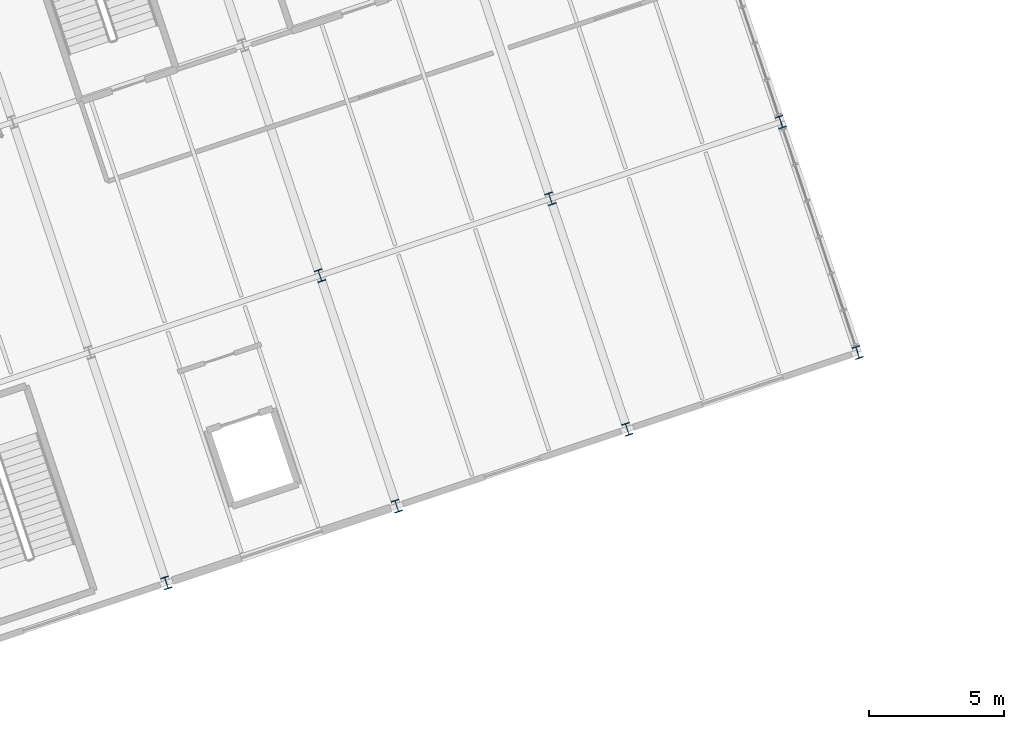
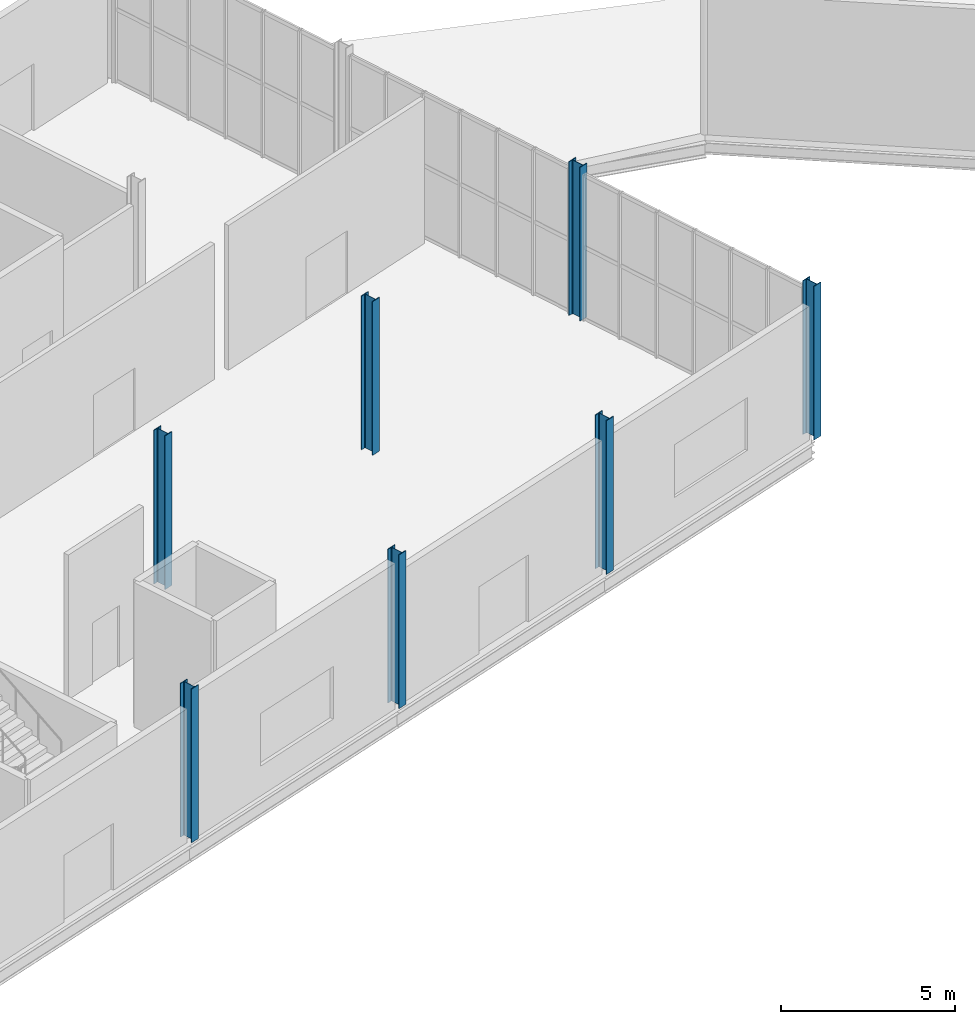
# One storey, part 21 of 158: 7 columns.
"""IFC4 building model written with IfcOpenShell, lengths in metres."""

import ifcopenshell
import ifcopenshell.guid

model = None  # the IFC model being written
_history = None  # IfcOwnerHistory: only IFC2X3 demands one
_inside = {}  # id of a spatial element -> (the spatial element, [elements in it])
_under = {}  # id of a project, library or spatial element -> (it, [spatial elements below it])
_declared = {}  # id of a project -> (the project, [libraries it declares])
_typed = {}  # id of a type object -> (the type object, [elements of that type])
_made_of = {}  # id of a material, layer set ... -> (it, [elements and type objects made of it])


def new_model(schema):
    """Start an empty IFC model of exactly this schema.

    Asked for "IFC4X3", IfcOpenShell would pick the latest addendum, in which some entities
    have other attributes; the version numbers below select the first issue.
    IFC2X3 requires an IfcOwnerHistory on every rooted entity: one is made here for all.
    """
    global model, _history
    if schema == "IFC4X3":
        model = ifcopenshell.file(schema_version=(4, 3, 0, 0))
    else:
        model = ifcopenshell.file(schema=schema)
    _inside.clear()
    _under.clear()
    _declared.clear()
    _typed.clear()
    _made_of.clear()
    _history = None
    if model.schema == "IFC2X3":
        org = make("IfcOrganization", Name="unknown")
        user = make(
            "IfcPersonAndOrganization",
            ThePerson=make("IfcPerson", FamilyName="unknown"),
            TheOrganization=org,
        )
        app = make(
            "IfcApplication",
            ApplicationDeveloper=org,
            Version="unknown",
            ApplicationFullName="unknown",
            ApplicationIdentifier="unknown",
        )
        _history = make(
            "IfcOwnerHistory",
            OwningUser=user,
            OwningApplication=app,
            ChangeAction="ADDED",
            CreationDate=0,
        )
    return model


def make(cls, **values):
    """One entity of the class cls with the attributes given. An attribute that is None is left unset."""
    return model.create_entity(
        cls, **{name: value for name, value in values.items() if value is not None}
    )


def rooted(cls, **values):
    """An entity with a GlobalId (a new one), such as an element, a storey or a relation."""
    return make(cls, GlobalId=ifcopenshell.guid.new(), OwnerHistory=_history, **values)


def si_unit(unit_type, name, prefix=None):
    """IfcSIUnit, for example si_unit("LENGTHUNIT", "METRE", prefix="MILLI")."""
    return make("IfcSIUnit", UnitType=unit_type, Prefix=prefix, Name=name)


def derived_unit(unit_type, elements):
    """IfcDerivedUnit: a product of units, each with its exponent."""
    return make(
        "IfcDerivedUnit",
        Elements=[
            make("IfcDerivedUnitElement", Unit=unit, Exponent=power)
            for unit, power in elements
        ],
        UnitType=unit_type,
    )


def assignment(units):
    """IfcUnitAssignment: the units of a project."""
    return None if units is None else make("IfcUnitAssignment", Units=units)


def point(xyz):
    """IfcCartesianPoint."""
    return None if xyz is None else make("IfcCartesianPoint", Coordinates=xyz)


def direction(xyz):
    """IfcDirection."""
    return None if xyz is None else make("IfcDirection", DirectionRatios=xyz)


def frame(location, z_axis=None, x_axis=None):
    """IfcAxis2Placement3D, a coordinate frame: its origin and axes. An axis left out is left unset."""
    return make(
        "IfcAxis2Placement3D",
        Location=point(location),
        Axis=direction(z_axis),
        RefDirection=direction(x_axis),
    )


def frame_2d(location, x_axis=None):
    """IfcAxis2Placement2D, a coordinate frame in the plane: its origin and x axis."""
    return make(
        "IfcAxis2Placement2D", Location=point(location), RefDirection=direction(x_axis)
    )


def origin():
    """The frame at (0, 0, 0) with its axes left unset."""
    return frame((0.0, 0.0, 0.0))


def origin_2d():
    """The frame at (0, 0) in the plane with its x axis left unset."""
    return frame_2d((0.0, 0.0))


def place(relative_to, where):
    """IfcLocalPlacement: puts the frame where relative to a parent placement (None: the world)."""
    return make(
        "IfcLocalPlacement", PlacementRelTo=relative_to, RelativePlacement=where
    )


def context(
    kind, dimensions, precision=None, world=None, true_north=None, identifier=None
):
    """IfcGeometricRepresentationContext, for example the 3D "Model" context."""
    return make(
        "IfcGeometricRepresentationContext",
        ContextIdentifier=identifier,
        ContextType=kind,
        CoordinateSpaceDimension=dimensions,
        Precision=precision,
        WorldCoordinateSystem=world,
        TrueNorth=true_north,
    )


def subcontext(parent, identifier, kind, view, scale=None):
    """IfcGeometricRepresentationSubContext, for example "Body" below "Model"."""
    return make(
        "IfcGeometricRepresentationSubContext",
        ContextIdentifier=identifier,
        ContextType=kind,
        ParentContext=parent,
        TargetScale=scale,
        TargetView=view,
    )


def project(units=None, contexts=None):
    """IfcProject with its units and contexts."""
    return rooted(
        "IfcProject",
        Name="project",
        RepresentationContexts=contexts,
        UnitsInContext=assignment(units),
    )


def spatial(cls, under=None, at=None, **own):
    """A site, building, storey or space (cls), placed at a placement, below another one or the project."""
    s = rooted(cls, ObjectPlacement=at, **own)
    if under is not None:
        _under.setdefault(under.id(), (under, []))[1].append(s)
    return s


def profile(cls, at=None, kind="AREA", **sizes):
    """A parametric profile (cls). Its sizes go by their IFC names, for example OverallWidth=200.0."""
    return make(cls, ProfileType=kind, Position=at, **sizes)


def i_section(**sizes):
    """IfcIShapeProfileDef."""
    return profile("IfcIShapeProfileDef", **sizes)


def extrude(swept, where, along, depth):
    """IfcExtrudedAreaSolid: the profile swept, set in the frame where, extruded along a direction by depth."""
    return make(
        "IfcExtrudedAreaSolid",
        SweptArea=swept,
        Position=where,
        ExtrudedDirection=direction(along),
        Depth=depth,
    )


def shape(context_of_items, identifier, shape_type, items):
    """IfcShapeRepresentation: the items that make up one representation, for example the "Body"."""
    return make(
        "IfcShapeRepresentation",
        ContextOfItems=context_of_items,
        RepresentationIdentifier=identifier,
        RepresentationType=shape_type,
        Items=items,
    )


def material(Name=None, Category=None):
    """IfcMaterial."""
    return make("IfcMaterial", Name=Name, Category=Category)


def material_profile(
    of_material, cross_section, Name=None, Category=None, Priority=None
):
    """IfcMaterialProfile: a cross section and its material."""
    return make(
        "IfcMaterialProfile",
        Name=Name,
        Material=of_material,
        Profile=cross_section,
        Priority=Priority,
        Category=Category,
    )


def profile_set(profiles, Name=None, composite=None):
    """IfcMaterialProfileSet."""
    return make(
        "IfcMaterialProfileSet",
        Name=Name,
        MaterialProfiles=profiles,
        CompositeProfile=composite,
    )


def made_of(thing, what):
    """Note that an element or type object is made of a material, layer set ...; save() writes the relation."""
    if what is not None:
        _made_of.setdefault(what.id(), (what, []))[1].append(thing)
    return thing


def type_object(cls, material=None, **own):
    """A type object (cls), such as IfcWallType, which elements share."""
    return made_of(rooted(cls, **own), material)


def element(
    cls,
    number,
    at=None,
    inside=None,
    cuts=None,
    type_object=None,
    material=None,
    context=None,
    identifier="Body",
    shape_type=None,
    held_by="IfcProductDefinitionShape",
    body=None,
    shapes=None,
    **own,
):
    """One element of the class cls, such as IfcWall. Its Tag is "e" and its number.

    at: its placement. inside: the storey or other place that contains it. cuts: it is an
    opening in that element (IfcRelVoidsElement). A single representation is given by context,
    identifier, shape_type and body (its items); several are given by shapes. held_by: the class
    of the entity that holds the representations. save() writes the other relations.
    """
    e = rooted(cls, Tag="e%d" % number, ObjectPlacement=at, **own)
    if body is not None:
        shapes = [shape(context, identifier, shape_type, body)]
    if shapes is not None:
        e.Representation = make(held_by, Representations=shapes)
    if inside is not None:
        _inside.setdefault(inside.id(), (inside, []))[1].append(e)
    if cuts is not None:
        rooted(
            "IfcRelVoidsElement", RelatingBuildingElement=cuts, RelatedOpeningElement=e
        )
    if type_object is not None:
        _typed.setdefault(type_object.id(), (type_object, []))[1].append(e)
    return made_of(e, material)


def aggregate(whole, parts):
    """IfcRelAggregates: a whole, such as a stair, and the parts it consists of."""
    return rooted("IfcRelAggregates", RelatingObject=whole, RelatedObjects=parts)


def save(model, path):
    """Write the relations noted so far, then the file.

    IfcRelAggregates (storeys below a building ...), IfcRelContainedInSpatialStructure (elements
    in a storey), IfcRelDefinesByType, IfcRelAssociatesMaterial and IfcRelDeclares: one each for
    every whole, place, type object, material and project.
    """
    for whole, parts in _under.values():
        aggregate(whole, parts)
    for where, things in _inside.values():
        rooted(
            "IfcRelContainedInSpatialStructure",
            RelatedElements=things,
            RelatingStructure=where,
        )
    for kind, things in _typed.values():
        rooted("IfcRelDefinesByType", RelatedObjects=things, RelatingType=kind)
    for what, things in _made_of.values():
        rooted("IfcRelAssociatesMaterial", RelatedObjects=things, RelatingMaterial=what)
    for by, libraries in _declared.values():
        rooted("IfcRelDeclares", RelatingContext=by, RelatedDefinitions=libraries)
    model.write(path)


model = new_model("IFC4")

# Units and contexts
model_context = context("Model", 3, precision=1e-05, world=origin(), true_north=direction((0.0, 1.0)))
body_context = subcontext(model_context, "Body", "Model", "MODEL_VIEW")
ifc_project = project(units=[si_unit("LENGTHUNIT", "METRE"), si_unit("AREAUNIT", "SQUARE_METRE"), si_unit("VOLUMEUNIT", "CUBIC_METRE"), si_unit("PLANEANGLEUNIT", "RADIAN"), si_unit("MASSUNIT", "GRAM", prefix="KILO"), si_unit("THERMODYNAMICTEMPERATUREUNIT", "KELVIN"), si_unit("TIMEUNIT", "SECOND"), derived_unit("THERMALTRANSMITTANCEUNIT", [(si_unit("MASSUNIT", "GRAM", prefix="KILO"), 1), (si_unit("THERMODYNAMICTEMPERATUREUNIT", "KELVIN"), -1), (si_unit("TIMEUNIT", "SECOND"), -3)])], contexts=[model_context])

# Site, building, storey
site_placement = place(None, origin())
site = spatial("IfcSite", under=ifc_project, at=site_placement, CompositionType="ELEMENT")
building_placement = place(site_placement, origin())
building = spatial("IfcBuilding", under=site, at=building_placement, Name="Cambertide Market Hall", CompositionType="ELEMENT")
storey_placement = place(building_placement, origin())
storey = spatial("IfcBuildingStorey", under=building, at=storey_placement, Name="L01", CompositionType="ELEMENT", Elevation=0.0)

# Columns
ifc_material_1 = material(Name="Steel S355", Category="steel")
ifc_material_profile_1 = material_profile(ifc_material_1, i_section(OverallWidth=0.300048828125, OverallDepth=0.449951171875, WebThickness=0.013916015625, FlangeThickness=0.02587890625, FilletRadius=0.027099609375, at=origin_2d()), Name="HEB 450")
ifc_profile_set_1 = profile_set([ifc_material_profile_1], Name="Steel S355")
column_type_1 = type_object("IfcColumnType", Name="Exterior Steel Column HEB 450", PredefinedType="COLUMN", material=ifc_profile_set_1)
for number, where, z_axis, x_axis, name in (
    (1, (140.152587890625, 23.38427734375, 0.0), (0.0, 0.0, 1.0), (0.94868329805, 0.316227766018, 0.0), "Level 1 Column COL-V3-5-1-L01"),
    (2, (148.690673828125, 26.230224609375, 0.0), (0.0, 0.0, 1.0), (0.94868329805, 0.316227766018, 0.0), "Level 1 Column COL-V3-6-1-L01"),
    (3, (157.22900390625, 29.076416015625, 0.0), (0.0, 0.0, 1.0), (0.94868329805, 0.316227766018, 0.0), "Level 1 Column COL-V3-7-1-L01"),
    (4, (165.76708984375, 31.92236328125, 0.0), (0.0, 0.0, 1.0), (0.94868329805, 0.316227766018, 0.0), "Level 1 Column COL-V3-8-1-L01"),
    (5, (162.9208984375, 40.46044921875, 0.0), (0.0, 0.0, 1.0), (0.94868329805, 0.316227766018, 0.0), "Level 1 Column COL-V3-8-2-L01"),
):
    element("IfcColumn", number, at=place(storey_placement, frame(where, z_axis=z_axis, x_axis=x_axis)), inside=storey, type_object=column_type_1, Name=name, PredefinedType="COLUMN", context=body_context, shape_type="SweptSolid", body=[
        extrude(i_section(OverallWidth=0.300048828125, OverallDepth=0.449951171875, WebThickness=0.013916015625, FlangeThickness=0.02587890625, FilletRadius=0.027099609375, at=origin_2d()), origin(), (0.0, 0.0, 1.0), 5.39990234375),
    ])
ifc_material_2 = material(Name="Steel S355", Category="steel")
ifc_material_profile_2 = material_profile(ifc_material_2, i_section(OverallWidth=0.300048828125, OverallDepth=0.449951171875, WebThickness=0.013916015625, FlangeThickness=0.02587890625, FilletRadius=0.027099609375, at=origin_2d()), Name="HEB 450")
ifc_profile_set_2 = profile_set([ifc_material_profile_2], Name="Steel S355")
column_type_2 = type_object("IfcColumnType", Name="Steel Column HEB 450", PredefinedType="COLUMN", material=ifc_profile_set_2)
for number, where, z_axis, x_axis, name in (
    (6, (145.8447265625, 34.768310546875, 0.0), (0.0, 0.0, 1.0), (0.94868329805, 0.316227766018, 0.0), "Level 1 Column COL-V3-6-2-L01"),
    (7, (154.3828125, 37.614501953125, 0.0), (0.0, 0.0, 1.0), (0.94868329805, 0.316227766018, 0.0), "Level 1 Column COL-V3-7-2-L01"),
):
    element("IfcColumn", number, at=place(storey_placement, frame(where, z_axis=z_axis, x_axis=x_axis)), inside=storey, type_object=column_type_2, Name=name, PredefinedType="COLUMN", context=body_context, shape_type="SweptSolid", body=[
        extrude(i_section(OverallWidth=0.300048828125, OverallDepth=0.449951171875, WebThickness=0.013916015625, FlangeThickness=0.02587890625, FilletRadius=0.027099609375, at=origin_2d()), origin(), (0.0, 0.0, 1.0), 5.39990234375),
    ])

save(model, "model.ifc")
